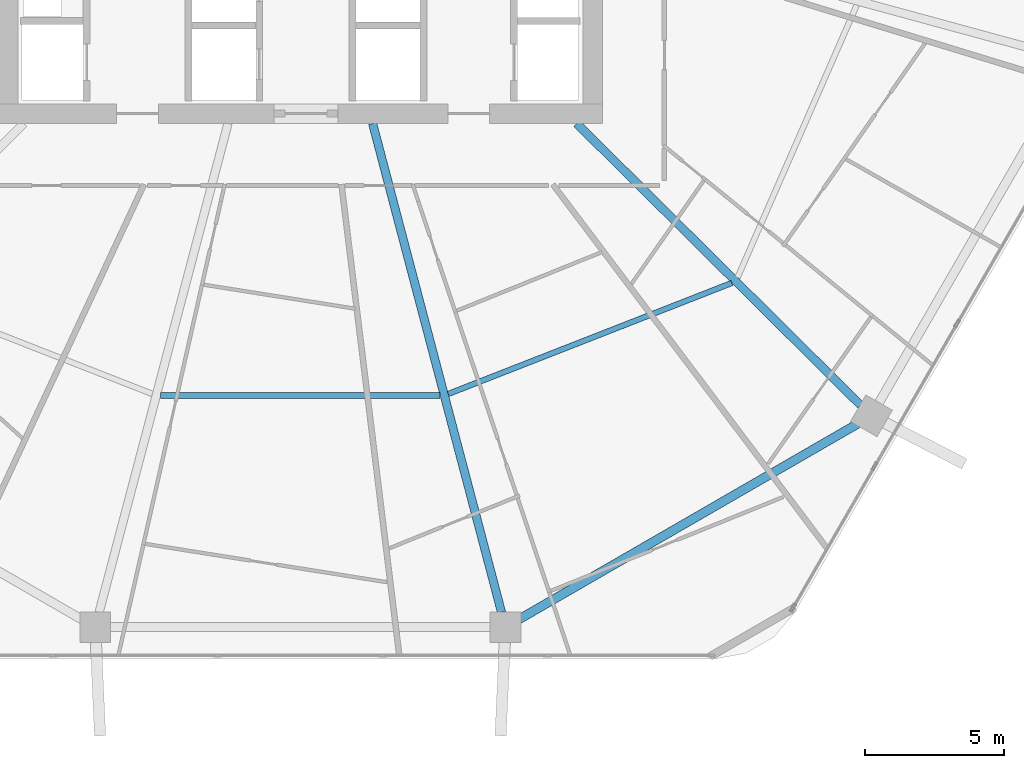
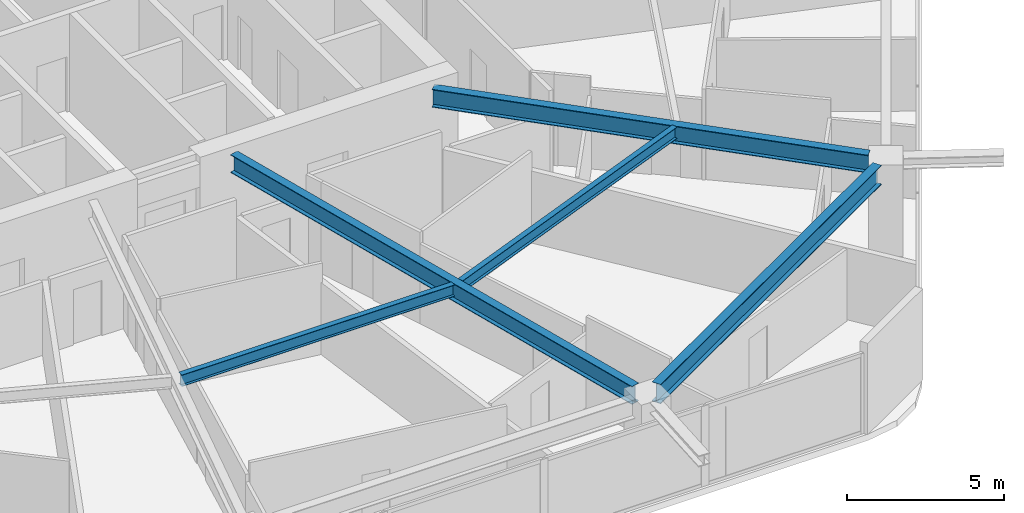
# One storey, part 8 of 32: 5 beams.
"""IFC4 building model written with IfcOpenShell, lengths in metres."""

import ifcopenshell
import ifcopenshell.guid

model = None  # the IFC model being written
_history = None  # IfcOwnerHistory: only IFC2X3 demands one
_inside = {}  # id of a spatial element -> (the spatial element, [elements in it])
_under = {}  # id of a project, library or spatial element -> (it, [spatial elements below it])
_declared = {}  # id of a project -> (the project, [libraries it declares])
_typed = {}  # id of a type object -> (the type object, [elements of that type])
_made_of = {}  # id of a material, layer set ... -> (it, [elements and type objects made of it])


def new_model(schema):
    """Start an empty IFC model of exactly this schema.

    Asked for "IFC4X3", IfcOpenShell would pick the latest addendum, in which some entities
    have other attributes; the version numbers below select the first issue.
    IFC2X3 requires an IfcOwnerHistory on every rooted entity: one is made here for all.
    """
    global model, _history
    if schema == "IFC4X3":
        model = ifcopenshell.file(schema_version=(4, 3, 0, 0))
    else:
        model = ifcopenshell.file(schema=schema)
    _inside.clear()
    _under.clear()
    _declared.clear()
    _typed.clear()
    _made_of.clear()
    _history = None
    if model.schema == "IFC2X3":
        org = make("IfcOrganization", Name="unknown")
        user = make(
            "IfcPersonAndOrganization",
            ThePerson=make("IfcPerson", FamilyName="unknown"),
            TheOrganization=org,
        )
        app = make(
            "IfcApplication",
            ApplicationDeveloper=org,
            Version="unknown",
            ApplicationFullName="unknown",
            ApplicationIdentifier="unknown",
        )
        _history = make(
            "IfcOwnerHistory",
            OwningUser=user,
            OwningApplication=app,
            ChangeAction="ADDED",
            CreationDate=0,
        )
    return model


def make(cls, **values):
    """One entity of the class cls with the attributes given. An attribute that is None is left unset."""
    return model.create_entity(
        cls, **{name: value for name, value in values.items() if value is not None}
    )


def rooted(cls, **values):
    """An entity with a GlobalId (a new one), such as an element, a storey or a relation."""
    return make(cls, GlobalId=ifcopenshell.guid.new(), OwnerHistory=_history, **values)


def si_unit(unit_type, name, prefix=None):
    """IfcSIUnit, for example si_unit("LENGTHUNIT", "METRE", prefix="MILLI")."""
    return make("IfcSIUnit", UnitType=unit_type, Prefix=prefix, Name=name)


def assignment(units):
    """IfcUnitAssignment: the units of a project."""
    return None if units is None else make("IfcUnitAssignment", Units=units)


def point(xyz):
    """IfcCartesianPoint."""
    return None if xyz is None else make("IfcCartesianPoint", Coordinates=xyz)


def direction(xyz):
    """IfcDirection."""
    return None if xyz is None else make("IfcDirection", DirectionRatios=xyz)


def frame(location, z_axis=None, x_axis=None):
    """IfcAxis2Placement3D, a coordinate frame: its origin and axes. An axis left out is left unset."""
    return make(
        "IfcAxis2Placement3D",
        Location=point(location),
        Axis=direction(z_axis),
        RefDirection=direction(x_axis),
    )


def frame_2d(location, x_axis=None):
    """IfcAxis2Placement2D, a coordinate frame in the plane: its origin and x axis."""
    return make(
        "IfcAxis2Placement2D", Location=point(location), RefDirection=direction(x_axis)
    )


def origin():
    """The frame at (0, 0, 0) with its axes left unset."""
    return frame((0.0, 0.0, 0.0))


def origin_2d():
    """The frame at (0, 0) in the plane with its x axis left unset."""
    return frame_2d((0.0, 0.0))


def place(relative_to, where):
    """IfcLocalPlacement: puts the frame where relative to a parent placement (None: the world)."""
    return make(
        "IfcLocalPlacement", PlacementRelTo=relative_to, RelativePlacement=where
    )


def context(
    kind, dimensions, precision=None, world=None, true_north=None, identifier=None
):
    """IfcGeometricRepresentationContext, for example the 3D "Model" context."""
    return make(
        "IfcGeometricRepresentationContext",
        ContextIdentifier=identifier,
        ContextType=kind,
        CoordinateSpaceDimension=dimensions,
        Precision=precision,
        WorldCoordinateSystem=world,
        TrueNorth=true_north,
    )


def subcontext(parent, identifier, kind, view, scale=None):
    """IfcGeometricRepresentationSubContext, for example "Body" below "Model"."""
    return make(
        "IfcGeometricRepresentationSubContext",
        ContextIdentifier=identifier,
        ContextType=kind,
        ParentContext=parent,
        TargetScale=scale,
        TargetView=view,
    )


def project(units=None, contexts=None):
    """IfcProject with its units and contexts."""
    return rooted(
        "IfcProject",
        Name="project",
        RepresentationContexts=contexts,
        UnitsInContext=assignment(units),
    )


def spatial(cls, under=None, at=None, **own):
    """A site, building, storey or space (cls), placed at a placement, below another one or the project."""
    s = rooted(cls, ObjectPlacement=at, **own)
    if under is not None:
        _under.setdefault(under.id(), (under, []))[1].append(s)
    return s


def profile(cls, at=None, kind="AREA", **sizes):
    """A parametric profile (cls). Its sizes go by their IFC names, for example OverallWidth=200.0."""
    return make(cls, ProfileType=kind, Position=at, **sizes)


def i_section(**sizes):
    """IfcIShapeProfileDef."""
    return profile("IfcIShapeProfileDef", **sizes)


def extrude(swept, where, along, depth):
    """IfcExtrudedAreaSolid: the profile swept, set in the frame where, extruded along a direction by depth."""
    return make(
        "IfcExtrudedAreaSolid",
        SweptArea=swept,
        Position=where,
        ExtrudedDirection=direction(along),
        Depth=depth,
    )


def shape(context_of_items, identifier, shape_type, items):
    """IfcShapeRepresentation: the items that make up one representation, for example the "Body"."""
    return make(
        "IfcShapeRepresentation",
        ContextOfItems=context_of_items,
        RepresentationIdentifier=identifier,
        RepresentationType=shape_type,
        Items=items,
    )


def material(Name=None, Category=None):
    """IfcMaterial."""
    return make("IfcMaterial", Name=Name, Category=Category)


def material_profile(
    of_material, cross_section, Name=None, Category=None, Priority=None
):
    """IfcMaterialProfile: a cross section and its material."""
    return make(
        "IfcMaterialProfile",
        Name=Name,
        Material=of_material,
        Profile=cross_section,
        Priority=Priority,
        Category=Category,
    )


def profile_set(profiles, Name=None, composite=None):
    """IfcMaterialProfileSet."""
    return make(
        "IfcMaterialProfileSet",
        Name=Name,
        MaterialProfiles=profiles,
        CompositeProfile=composite,
    )


def made_of(thing, what):
    """Note that an element or type object is made of a material, layer set ...; save() writes the relation."""
    if what is not None:
        _made_of.setdefault(what.id(), (what, []))[1].append(thing)
    return thing


def type_object(cls, material=None, **own):
    """A type object (cls), such as IfcWallType, which elements share."""
    return made_of(rooted(cls, **own), material)


def element(
    cls,
    number,
    at=None,
    inside=None,
    cuts=None,
    type_object=None,
    material=None,
    context=None,
    identifier="Body",
    shape_type=None,
    held_by="IfcProductDefinitionShape",
    body=None,
    shapes=None,
    **own,
):
    """One element of the class cls, such as IfcWall. Its Tag is "e" and its number.

    at: its placement. inside: the storey or other place that contains it. cuts: it is an
    opening in that element (IfcRelVoidsElement). A single representation is given by context,
    identifier, shape_type and body (its items); several are given by shapes. held_by: the class
    of the entity that holds the representations. save() writes the other relations.
    """
    e = rooted(cls, Tag="e%d" % number, ObjectPlacement=at, **own)
    if body is not None:
        shapes = [shape(context, identifier, shape_type, body)]
    if shapes is not None:
        e.Representation = make(held_by, Representations=shapes)
    if inside is not None:
        _inside.setdefault(inside.id(), (inside, []))[1].append(e)
    if cuts is not None:
        rooted(
            "IfcRelVoidsElement", RelatingBuildingElement=cuts, RelatedOpeningElement=e
        )
    if type_object is not None:
        _typed.setdefault(type_object.id(), (type_object, []))[1].append(e)
    return made_of(e, material)


def aggregate(whole, parts):
    """IfcRelAggregates: a whole, such as a stair, and the parts it consists of."""
    return rooted("IfcRelAggregates", RelatingObject=whole, RelatedObjects=parts)


def save(model, path):
    """Write the relations noted so far, then the file.

    IfcRelAggregates (storeys below a building ...), IfcRelContainedInSpatialStructure (elements
    in a storey), IfcRelDefinesByType, IfcRelAssociatesMaterial and IfcRelDeclares: one each for
    every whole, place, type object, material and project.
    """
    for whole, parts in _under.values():
        aggregate(whole, parts)
    for where, things in _inside.values():
        rooted(
            "IfcRelContainedInSpatialStructure",
            RelatedElements=things,
            RelatingStructure=where,
        )
    for kind, things in _typed.values():
        rooted("IfcRelDefinesByType", RelatedObjects=things, RelatingType=kind)
    for what, things in _made_of.values():
        rooted("IfcRelAssociatesMaterial", RelatedObjects=things, RelatingMaterial=what)
    for by, libraries in _declared.values():
        rooted("IfcRelDeclares", RelatingContext=by, RelatedDefinitions=libraries)
    model.write(path)


model = new_model("IFC4")

# Units and contexts
model_context = context("Model", 3, precision=1e-05, world=origin(), true_north=direction((0.0, 1.0)))
body_context = subcontext(model_context, "Body", "Model", "MODEL_VIEW")
ifc_project = project(units=[si_unit("LENGTHUNIT", "METRE"), si_unit("AREAUNIT", "SQUARE_METRE"), si_unit("VOLUMEUNIT", "CUBIC_METRE"), si_unit("PLANEANGLEUNIT", "RADIAN"), si_unit("MASSUNIT", "GRAM", prefix="KILO")], contexts=[model_context])

# Site, building, storey
site_placement = place(None, origin())
site = spatial("IfcSite", under=ifc_project, at=site_placement, CompositionType="ELEMENT")
building_placement = place(site_placement, origin())
building = spatial("IfcBuilding", under=site, at=building_placement, Name="Zuhravey Tower", CompositionType="ELEMENT")
storey_placement = place(building_placement, frame((0.0, 0.0, 111.39990234375)))
storey = spatial("IfcBuildingStorey", under=building, at=storey_placement, Name="L27", CompositionType="ELEMENT", Elevation=111.39990234375)

# Beams
ifc_material = material(Name="Steel SM355", Category="steel")
ifc_material_profile_1 = material_profile(ifc_material, i_section(OverallWidth=0.320068359375, OverallDepth=0.75, WebThickness=0.013916015625, FlangeThickness=0.02490234375, at=origin_2d()), Name="H-750x320x14x25")
ifc_profile_set_1 = profile_set([ifc_material_profile_1], Name="Steel SM355")
beam_type_1 = type_object("IfcBeamType", Name="Perimeter Ring Beam H750x320", PredefinedType="BEAM", material=ifc_profile_set_1)
beam_1_placement = place(storey_placement, frame((43.848876953125, 4.327880859375, 3.175048828125), z_axis=(0.866017786538, 0.500013193225, 0.0), x_axis=(-0.500013193225, 0.866017786538, 0.0)))
element("IfcBeam", 1, at=beam_1_placement, inside=storey, type_object=beam_type_1, Name="L27 PB1 BM-L27-PB-10", PredefinedType="BEAM", context=body_context, shape_type="SweptSolid", body=[
    extrude(i_section(OverallWidth=0.320068359375, OverallDepth=0.75, WebThickness=0.013916015625, FlangeThickness=0.02490234375, at=origin_2d()), origin(), (0.0, 0.0, 1.0), 14.0771484375),
])
ifc_material_profile_2 = material_profile(ifc_material, i_section(OverallWidth=0.300048828125, OverallDepth=0.699951171875, WebThickness=0.012939453125, FlangeThickness=0.02392578125, at=origin_2d()), Name="H-700x300x13x24")
ifc_profile_set_2 = profile_set([ifc_material_profile_2], Name="Steel SM355")
beam_type_2 = type_object("IfcBeamType", Name="Radial Primary Girder H700x300", PredefinedType="BEAM", material=ifc_profile_set_2)
beam_2_placement = place(storey_placement, frame((38.59814453125, 22.14697265625, 3.2001953125), z_axis=(0.25498755891, -0.966944333869, 0.0), x_axis=(0.966944333869, 0.25498755891, 0.0)))
element("IfcBeam", 2, at=beam_2_placement, inside=storey, type_object=beam_type_2, Name="L27 RG1 BM-L27-RAD-10", PredefinedType="BEAM", context=body_context, shape_type="SweptSolid", body=[
    extrude(i_section(OverallWidth=0.300048828125, OverallDepth=0.699951171875, WebThickness=0.012939453125, FlangeThickness=0.02392578125, at=origin_2d()), origin(), (0.0, 0.0, 1.0), 18.1611328125),
])
beam_3_placement = place(storey_placement, frame((45.931396484375, 22.14697265625, 3.2001953125), z_axis=(0.709906230344, -0.704296204816, 0.0), x_axis=(0.704296204816, 0.709906230344, 0.0)))
element("IfcBeam", 3, at=beam_3_placement, inside=storey, type_object=beam_type_2, Name="L27 RG1 BM-L27-RAD-11", PredefinedType="BEAM", context=body_context, shape_type="SweptSolid", body=[
    extrude(i_section(OverallWidth=0.300048828125, OverallDepth=0.699951171875, WebThickness=0.012939453125, FlangeThickness=0.02392578125, at=origin_2d()), origin(), (0.0, 0.0, 1.0), 14.361083984375),
])
ifc_material_profile_3 = material_profile(ifc_material, i_section(OverallWidth=0.199951171875, OverallDepth=0.449951171875, WebThickness=0.009033203125, FlangeThickness=0.013916015625, at=origin_2d()), Name="H-450x200x9x14")
ifc_profile_set_3 = profile_set([ifc_material_profile_3], Name="Steel SM355")
beam_type_3 = type_object("IfcBeamType", Name="Secondary Floor Joist H450x200", PredefinedType="JOIST", material=ifc_profile_set_3)
beam_4_placement = place(storey_placement, frame((30.97900390625, 12.37548828125, 3.3251953125), z_axis=(1.0, 0.0, 0.0), x_axis=(0.0, 1.0, 0.0)))
element("IfcBeam", 4, at=beam_4_placement, inside=storey, type_object=beam_type_3, Name="L27 SJ1 BM-L27-SJ-09-1", PredefinedType="JOIST", context=body_context, shape_type="SweptSolid", body=[
    extrude(i_section(OverallWidth=0.199951171875, OverallDepth=0.449951171875, WebThickness=0.009033203125, FlangeThickness=0.013916015625, at=origin_2d()), origin(), (0.0, 0.0, 1.0), 10.0419921875),
])
beam_5_placement = place(storey_placement, frame((41.318359375, 12.431640625, 3.3251953125), z_axis=(0.931216764731, 0.364465824302, 0.0), x_axis=(-0.364465824302, 0.931216764731, 0.0)))
element("IfcBeam", 5, at=beam_5_placement, inside=storey, type_object=beam_type_3, Name="L27 SJ1 BM-L27-SJ-10-1", PredefinedType="JOIST", context=body_context, shape_type="SweptSolid", body=[
    extrude(i_section(OverallWidth=0.199951171875, OverallDepth=0.449951171875, WebThickness=0.009033203125, FlangeThickness=0.013916015625, at=origin_2d()), origin(), (0.0, 0.0, 1.0), 10.939453125),
])

save(model, "model.ifc")
